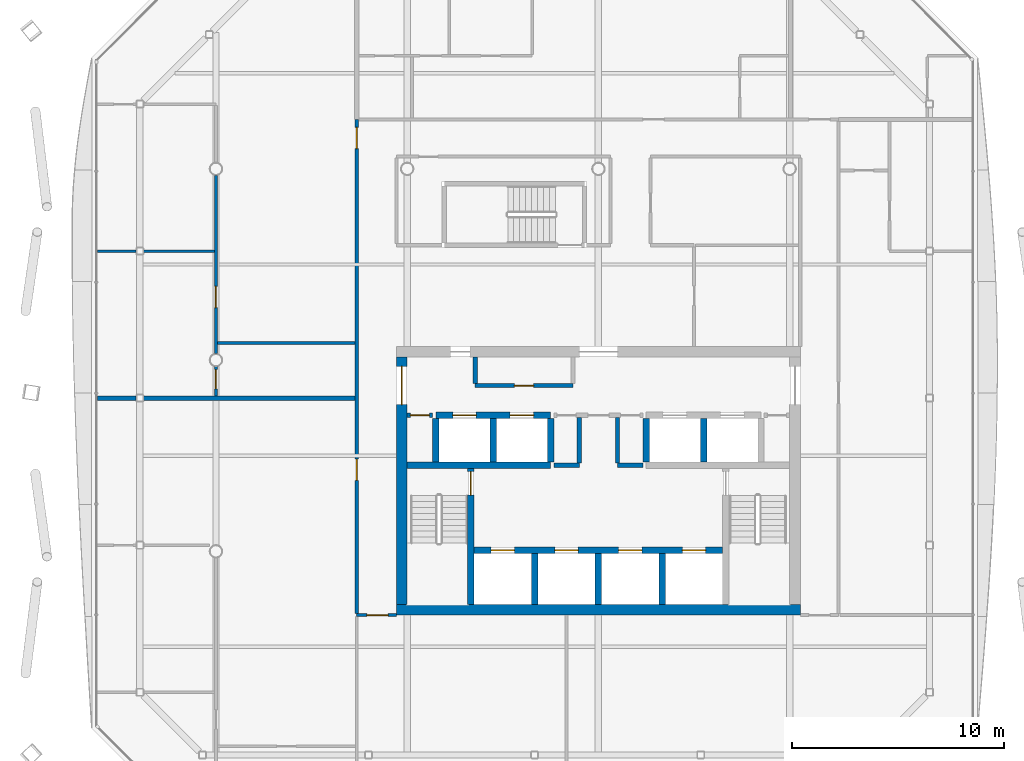
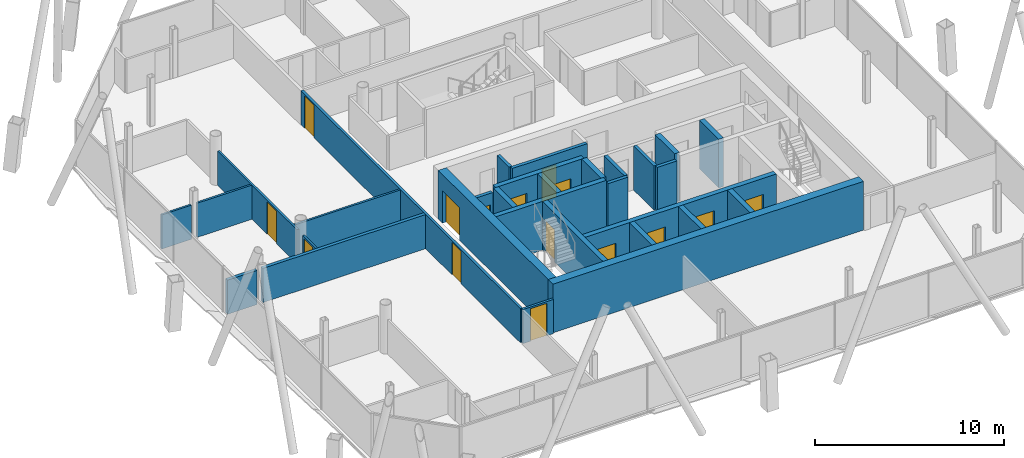
# One storey, part 14 of 20: 30 walls, 15 doors, 15 openings.
"""IFC4 building model written with IfcOpenShell, lengths in metres."""

import ifcopenshell
import ifcopenshell.guid

model = None  # the IFC model being written
_history = None  # IfcOwnerHistory: only IFC2X3 demands one
_inside = {}  # id of a spatial element -> (the spatial element, [elements in it])
_under = {}  # id of a project, library or spatial element -> (it, [spatial elements below it])
_declared = {}  # id of a project -> (the project, [libraries it declares])
_typed = {}  # id of a type object -> (the type object, [elements of that type])
_made_of = {}  # id of a material, layer set ... -> (it, [elements and type objects made of it])


def new_model(schema):
    """Start an empty IFC model of exactly this schema.

    Asked for "IFC4X3", IfcOpenShell would pick the latest addendum, in which some entities
    have other attributes; the version numbers below select the first issue.
    IFC2X3 requires an IfcOwnerHistory on every rooted entity: one is made here for all.
    """
    global model, _history
    if schema == "IFC4X3":
        model = ifcopenshell.file(schema_version=(4, 3, 0, 0))
    else:
        model = ifcopenshell.file(schema=schema)
    _inside.clear()
    _under.clear()
    _declared.clear()
    _typed.clear()
    _made_of.clear()
    _history = None
    if model.schema == "IFC2X3":
        org = make("IfcOrganization", Name="unknown")
        user = make(
            "IfcPersonAndOrganization",
            ThePerson=make("IfcPerson", FamilyName="unknown"),
            TheOrganization=org,
        )
        app = make(
            "IfcApplication",
            ApplicationDeveloper=org,
            Version="unknown",
            ApplicationFullName="unknown",
            ApplicationIdentifier="unknown",
        )
        _history = make(
            "IfcOwnerHistory",
            OwningUser=user,
            OwningApplication=app,
            ChangeAction="ADDED",
            CreationDate=0,
        )
    return model


def make(cls, **values):
    """One entity of the class cls with the attributes given. An attribute that is None is left unset."""
    return model.create_entity(
        cls, **{name: value for name, value in values.items() if value is not None}
    )


def rooted(cls, **values):
    """An entity with a GlobalId (a new one), such as an element, a storey or a relation."""
    return make(cls, GlobalId=ifcopenshell.guid.new(), OwnerHistory=_history, **values)


def si_unit(unit_type, name, prefix=None):
    """IfcSIUnit, for example si_unit("LENGTHUNIT", "METRE", prefix="MILLI")."""
    return make("IfcSIUnit", UnitType=unit_type, Prefix=prefix, Name=name)


def assignment(units):
    """IfcUnitAssignment: the units of a project."""
    return None if units is None else make("IfcUnitAssignment", Units=units)


def point(xyz):
    """IfcCartesianPoint."""
    return None if xyz is None else make("IfcCartesianPoint", Coordinates=xyz)


def direction(xyz):
    """IfcDirection."""
    return None if xyz is None else make("IfcDirection", DirectionRatios=xyz)


def frame(location, z_axis=None, x_axis=None):
    """IfcAxis2Placement3D, a coordinate frame: its origin and axes. An axis left out is left unset."""
    return make(
        "IfcAxis2Placement3D",
        Location=point(location),
        Axis=direction(z_axis),
        RefDirection=direction(x_axis),
    )


def frame_2d(location, x_axis=None):
    """IfcAxis2Placement2D, a coordinate frame in the plane: its origin and x axis."""
    return make(
        "IfcAxis2Placement2D", Location=point(location), RefDirection=direction(x_axis)
    )


def origin():
    """The frame at (0, 0, 0) with its axes left unset."""
    return frame((0.0, 0.0, 0.0))


def place(relative_to, where):
    """IfcLocalPlacement: puts the frame where relative to a parent placement (None: the world)."""
    return make(
        "IfcLocalPlacement", PlacementRelTo=relative_to, RelativePlacement=where
    )


def context(
    kind, dimensions, precision=None, world=None, true_north=None, identifier=None
):
    """IfcGeometricRepresentationContext, for example the 3D "Model" context."""
    return make(
        "IfcGeometricRepresentationContext",
        ContextIdentifier=identifier,
        ContextType=kind,
        CoordinateSpaceDimension=dimensions,
        Precision=precision,
        WorldCoordinateSystem=world,
        TrueNorth=true_north,
    )


def subcontext(parent, identifier, kind, view, scale=None):
    """IfcGeometricRepresentationSubContext, for example "Body" below "Model"."""
    return make(
        "IfcGeometricRepresentationSubContext",
        ContextIdentifier=identifier,
        ContextType=kind,
        ParentContext=parent,
        TargetScale=scale,
        TargetView=view,
    )


def project(units=None, contexts=None):
    """IfcProject with its units and contexts."""
    return rooted(
        "IfcProject",
        Name="project",
        RepresentationContexts=contexts,
        UnitsInContext=assignment(units),
    )


def spatial(cls, under=None, at=None, **own):
    """A site, building, storey or space (cls), placed at a placement, below another one or the project."""
    s = rooted(cls, ObjectPlacement=at, **own)
    if under is not None:
        _under.setdefault(under.id(), (under, []))[1].append(s)
    return s


def profile(cls, at=None, kind="AREA", **sizes):
    """A parametric profile (cls). Its sizes go by their IFC names, for example OverallWidth=200.0."""
    return make(cls, ProfileType=kind, Position=at, **sizes)


def rectangle(**sizes):
    """IfcRectangleProfileDef."""
    return profile("IfcRectangleProfileDef", **sizes)


def extrude(swept, where, along, depth):
    """IfcExtrudedAreaSolid: the profile swept, set in the frame where, extruded along a direction by depth."""
    return make(
        "IfcExtrudedAreaSolid",
        SweptArea=swept,
        Position=where,
        ExtrudedDirection=direction(along),
        Depth=depth,
    )


def shape(context_of_items, identifier, shape_type, items):
    """IfcShapeRepresentation: the items that make up one representation, for example the "Body"."""
    return make(
        "IfcShapeRepresentation",
        ContextOfItems=context_of_items,
        RepresentationIdentifier=identifier,
        RepresentationType=shape_type,
        Items=items,
    )


def material(Name=None, Category=None):
    """IfcMaterial."""
    return make("IfcMaterial", Name=Name, Category=Category)


def layer(
    of_material, thickness, ventilated=None, Name=None, Category=None, Priority=None
):
    """IfcMaterialLayer: one layer of a wall or slab, of a material (None: an air gap)."""
    return make(
        "IfcMaterialLayer",
        Material=of_material,
        LayerThickness=thickness,
        IsVentilated=ventilated,
        Name=Name,
        Category=Category,
        Priority=Priority,
    )


def layer_set(layers, Name=None):
    """IfcMaterialLayerSet."""
    return make("IfcMaterialLayerSet", MaterialLayers=layers, LayerSetName=Name)


def made_of(thing, what):
    """Note that an element or type object is made of a material, layer set ...; save() writes the relation."""
    if what is not None:
        _made_of.setdefault(what.id(), (what, []))[1].append(thing)
    return thing


def type_object(cls, material=None, **own):
    """A type object (cls), such as IfcWallType, which elements share."""
    return made_of(rooted(cls, **own), material)


def element(
    cls,
    number,
    at=None,
    inside=None,
    cuts=None,
    type_object=None,
    material=None,
    context=None,
    identifier="Body",
    shape_type=None,
    held_by="IfcProductDefinitionShape",
    body=None,
    shapes=None,
    **own,
):
    """One element of the class cls, such as IfcWall. Its Tag is "e" and its number.

    at: its placement. inside: the storey or other place that contains it. cuts: it is an
    opening in that element (IfcRelVoidsElement). A single representation is given by context,
    identifier, shape_type and body (its items); several are given by shapes. held_by: the class
    of the entity that holds the representations. save() writes the other relations.
    """
    e = rooted(cls, Tag="e%d" % number, ObjectPlacement=at, **own)
    if body is not None:
        shapes = [shape(context, identifier, shape_type, body)]
    if shapes is not None:
        e.Representation = make(held_by, Representations=shapes)
    if inside is not None:
        _inside.setdefault(inside.id(), (inside, []))[1].append(e)
    if cuts is not None:
        rooted(
            "IfcRelVoidsElement", RelatingBuildingElement=cuts, RelatedOpeningElement=e
        )
    if type_object is not None:
        _typed.setdefault(type_object.id(), (type_object, []))[1].append(e)
    return made_of(e, material)


def fill(opening, filler):
    """IfcRelFillsElement: the door or window that sits in an opening."""
    return rooted(
        "IfcRelFillsElement",
        RelatingOpeningElement=opening,
        RelatedBuildingElement=filler,
    )


def aggregate(whole, parts):
    """IfcRelAggregates: a whole, such as a stair, and the parts it consists of."""
    return rooted("IfcRelAggregates", RelatingObject=whole, RelatedObjects=parts)


def save(model, path):
    """Write the relations noted so far, then the file.

    IfcRelAggregates (storeys below a building ...), IfcRelContainedInSpatialStructure (elements
    in a storey), IfcRelDefinesByType, IfcRelAssociatesMaterial and IfcRelDeclares: one each for
    every whole, place, type object, material and project.
    """
    for whole, parts in _under.values():
        aggregate(whole, parts)
    for where, things in _inside.values():
        rooted(
            "IfcRelContainedInSpatialStructure",
            RelatedElements=things,
            RelatingStructure=where,
        )
    for kind, things in _typed.values():
        rooted("IfcRelDefinesByType", RelatedObjects=things, RelatingType=kind)
    for what, things in _made_of.values():
        rooted("IfcRelAssociatesMaterial", RelatedObjects=things, RelatingMaterial=what)
    for by, libraries in _declared.values():
        rooted("IfcRelDeclares", RelatingContext=by, RelatedDefinitions=libraries)
    model.write(path)


model = new_model("IFC4")

# Units and contexts
model_context = context("Model", 3, precision=1e-05, world=origin(), true_north=direction((0.0, 1.0)))
body_context = subcontext(model_context, "Body", "Model", "MODEL_VIEW")
ifc_project = project(units=[si_unit("LENGTHUNIT", "METRE"), si_unit("AREAUNIT", "SQUARE_METRE"), si_unit("VOLUMEUNIT", "CUBIC_METRE"), si_unit("PLANEANGLEUNIT", "RADIAN"), si_unit("MASSUNIT", "GRAM", prefix="KILO")], contexts=[model_context])

# Site, building, storey
site_placement = place(None, origin())
site = spatial("IfcSite", under=ifc_project, at=site_placement, CompositionType="ELEMENT")
building_placement = place(site_placement, origin())
building = spatial("IfcBuilding", under=site, at=building_placement, Name="Tskaro Facet Tower", CompositionType="ELEMENT")
storey_placement = place(building_placement, frame((0.0, 0.0, 181.64990234375)))
storey = spatial("IfcBuildingStorey", under=building, at=storey_placement, Name="L45", CompositionType="ELEMENT", Elevation=181.64990234375)

# Wall, openings, doors
ifc_material_1 = material(Name="Concrete C60/75", Category="concrete")
ifc_layer_1 = layer(ifc_material_1, 0.300048828125, Name="Concrete C60/75")
ifc_layer_set_1 = layer_set([ifc_layer_1], Name="Concrete C60/75")
wall_type_1 = type_object("IfcWallType", Name="CORE-SHAFT", PredefinedType="SHEAR", material=ifc_layer_set_1)
wall_1_placement = place(storey_placement, frame((-5.85009765625, -8.949951171875, 0.0), z_axis=(0.0, 0.0, 1.0), x_axis=(1.0, 0.0, 0.0)))
wall_1 = element("IfcWall", 1, at=wall_1_placement, inside=storey, type_object=wall_type_1, Name="Shaft wall W007", PredefinedType="SHEAR", context=body_context, shape_type="SweptSolid", body=[
    extrude(rectangle(XDim=11.7001953125, YDim=0.300048828125, at=frame_2d((5.85009765625, 0.0))), origin(), (0.0, 0.0, 1.0), 3.150146484375),
])
opening_1_placement = place(wall_1_placement, frame((0.800048828125, 0.0, 0.0)))
opening_1 = element("IfcOpeningElement", 2, at=opening_1_placement, cuts=wall_1, Name="Opening LD-FF1", PredefinedType="OPENING", context=body_context, shape_type="SweptSolid", body=[
    extrude(rectangle(XDim=1.10009765625, YDim=2.10009765625, at=frame_2d((0.550048828125, 1.050048828125))), frame((0.0, 0.159912109375, 0.0), z_axis=(0.0, -1.0, 0.0), x_axis=(1.0, 0.0, 0.0)), (0.0, 0.0, 1.0), 0.320068359375),
])
opening_2_placement = place(wall_1_placement, frame((3.800048828125, 0.0, 0.0)))
opening_2 = element("IfcOpeningElement", 3, at=opening_2_placement, cuts=wall_1, Name="Opening LD-FF2", PredefinedType="OPENING", context=body_context, shape_type="SweptSolid", body=[
    extrude(rectangle(XDim=1.10009765625, YDim=2.10009765625, at=frame_2d((0.550048828125, 1.050048828125))), frame((0.0, 0.159912109375, 0.0), z_axis=(0.0, -1.0, 0.0), x_axis=(1.0, 0.0, 0.0)), (0.0, 0.0, 1.0), 0.320068359375),
])
opening_3_placement = place(wall_1_placement, frame((6.800048828125, 0.0, 0.0)))
opening_3 = element("IfcOpeningElement", 4, at=opening_3_placement, cuts=wall_1, Name="Opening LD-SV1", PredefinedType="OPENING", context=body_context, shape_type="SweptSolid", body=[
    extrude(rectangle(XDim=1.10009765625, YDim=2.10009765625, at=frame_2d((0.550048828125, 1.050048828125))), frame((0.0, 0.159912109375, 0.0), z_axis=(0.0, -1.0, 0.0), x_axis=(1.0, 0.0, 0.0)), (0.0, 0.0, 1.0), 0.320068359375),
])
opening_4_placement = place(wall_1_placement, frame((9.800048828125, 0.0, 0.0)))
opening_4 = element("IfcOpeningElement", 5, at=opening_4_placement, cuts=wall_1, Name="Opening LD-SV2", PredefinedType="OPENING", context=body_context, shape_type="SweptSolid", body=[
    extrude(rectangle(XDim=1.10009765625, YDim=2.10009765625, at=frame_2d((0.550048828125, 1.050048828125))), frame((0.0, 0.159912109375, 0.0), z_axis=(0.0, -1.0, 0.0), x_axis=(1.0, 0.0, 0.0)), (0.0, 0.0, 1.0), 0.320068359375),
])
ifc_material_2 = material(Name="Stainless steel", Category="steel")
door_type_1 = type_object("IfcDoorType", Name="D-LANDING", OperationType="NOTDEFINED", PredefinedType="DOOR", material=ifc_material_2)
door_1_placement = place(opening_1_placement, origin())
door_1 = element("IfcDoor", 6, at=door_1_placement, inside=storey, type_object=door_type_1, Name="Landing door FF1", OperationType="DOUBLE_DOOR_SLIDING", OverallHeight=2.10009765625, OverallWidth=1.10009765625, PredefinedType="DOOR", context=body_context, shape_type="SweptSolid", body=[
    extrude(rectangle(XDim=1.10009765625, YDim=2.10009765625, at=frame_2d((0.550048828125, 1.050048828125))), frame((0.0, 0.02490234375, 0.0), z_axis=(0.0, -1.0, 0.0), x_axis=(1.0, 0.0, 0.0)), (0.0, 0.0, 1.0), 0.050048828125),
])
fill(opening_1, door_1)
door_2_placement = place(opening_2_placement, origin())
door_2 = element("IfcDoor", 7, at=door_2_placement, inside=storey, type_object=door_type_1, Name="Landing door FF2", OperationType="DOUBLE_DOOR_SLIDING", OverallHeight=2.10009765625, OverallWidth=1.10009765625, PredefinedType="DOOR", context=body_context, shape_type="SweptSolid", body=[
    extrude(rectangle(XDim=1.10009765625, YDim=2.10009765625, at=frame_2d((0.550048828125, 1.050048828125))), frame((0.0, 0.02490234375, 0.0), z_axis=(0.0, -1.0, 0.0), x_axis=(1.0, 0.0, 0.0)), (0.0, 0.0, 1.0), 0.050048828125),
])
fill(opening_2, door_2)
door_3_placement = place(opening_3_placement, origin())
door_3 = element("IfcDoor", 8, at=door_3_placement, inside=storey, type_object=door_type_1, Name="Landing door SV1", OperationType="DOUBLE_DOOR_SLIDING", OverallHeight=2.10009765625, OverallWidth=1.10009765625, PredefinedType="DOOR", context=body_context, shape_type="SweptSolid", body=[
    extrude(rectangle(XDim=1.10009765625, YDim=2.10009765625, at=frame_2d((0.550048828125, 1.050048828125))), frame((0.0, 0.02490234375, 0.0), z_axis=(0.0, -1.0, 0.0), x_axis=(1.0, 0.0, 0.0)), (0.0, 0.0, 1.0), 0.050048828125),
])
fill(opening_3, door_3)
door_4_placement = place(opening_4_placement, origin())
door_4 = element("IfcDoor", 9, at=door_4_placement, inside=storey, type_object=door_type_1, Name="Landing door SV2", OperationType="DOUBLE_DOOR_SLIDING", OverallHeight=2.10009765625, OverallWidth=1.10009765625, PredefinedType="DOOR", context=body_context, shape_type="SweptSolid", body=[
    extrude(rectangle(XDim=1.10009765625, YDim=2.10009765625, at=frame_2d((0.550048828125, 1.050048828125))), frame((0.0, 0.02490234375, 0.0), z_axis=(0.0, -1.0, 0.0), x_axis=(1.0, 0.0, 0.0)), (0.0, 0.0, 1.0), 0.050048828125),
])
fill(opening_4, door_4)

# Wall
wall_2_placement = place(storey_placement, frame((-9.0, -4.949951171875, 0.0), z_axis=(0.0, 0.0, 1.0), x_axis=(1.0, 0.0, 0.0)))
element("IfcWall", 10, at=wall_2_placement, inside=storey, type_object=wall_type_1, Name="Shaft wall W010", PredefinedType="SHEAR", context=body_context, shape_type="SweptSolid", body=[
    extrude(rectangle(XDim=6.75, YDim=0.300048828125, at=frame_2d((3.375, 0.0))), origin(), (0.0, 0.0, 1.0), 3.150146484375),
])

# Wall, openings, doors
wall_3_placement = place(storey_placement, frame((-7.64990234375, -2.60009765625, 0.0), z_axis=(0.0, 0.0, 1.0), x_axis=(1.0, 0.0, 0.0)))
wall_3 = element("IfcWall", 11, at=wall_3_placement, inside=storey, type_object=wall_type_1, Name="Shaft wall W015", PredefinedType="SHEAR", context=body_context, shape_type="SweptSolid", body=[
    extrude(rectangle(XDim=5.39990234375, YDim=0.300048828125, at=frame_2d((2.699951171875, 0.0))), origin(), (0.0, 0.0, 1.0), 3.150146484375),
])
opening_5_placement = place(wall_3_placement, frame((0.800048828125, 0.0, 0.0)))
opening_5 = element("IfcOpeningElement", 12, at=opening_5_placement, cuts=wall_3, Name="Opening LD-HB1", PredefinedType="OPENING", context=body_context, shape_type="SweptSolid", body=[
    extrude(rectangle(XDim=1.10009765625, YDim=2.10009765625, at=frame_2d((0.550048828125, 1.050048828125))), frame((0.0, 0.159912109375, 0.0), z_axis=(0.0, -1.0, 0.0), x_axis=(1.0, 0.0, 0.0)), (0.0, 0.0, 1.0), 0.320068359375),
])
opening_6_placement = place(wall_3_placement, frame((3.5, 0.0, 0.0)))
opening_6 = element("IfcOpeningElement", 13, at=opening_6_placement, cuts=wall_3, Name="Opening LD-HB2", PredefinedType="OPENING", context=body_context, shape_type="SweptSolid", body=[
    extrude(rectangle(XDim=1.10009765625, YDim=2.10009765625, at=frame_2d((0.550048828125, 1.050048828125))), frame((0.0, 0.159912109375, 0.0), z_axis=(0.0, -1.0, 0.0), x_axis=(1.0, 0.0, 0.0)), (0.0, 0.0, 1.0), 0.320068359375),
])
door_5_placement = place(opening_5_placement, origin())
door_5 = element("IfcDoor", 14, at=door_5_placement, inside=storey, type_object=door_type_1, Name="Landing door HB1", OperationType="DOUBLE_DOOR_SLIDING", OverallHeight=2.10009765625, OverallWidth=1.10009765625, PredefinedType="DOOR", context=body_context, shape_type="SweptSolid", body=[
    extrude(rectangle(XDim=1.10009765625, YDim=2.10009765625, at=frame_2d((0.550048828125, 1.050048828125))), frame((0.0, 0.02490234375, 0.0), z_axis=(0.0, -1.0, 0.0), x_axis=(1.0, 0.0, 0.0)), (0.0, 0.0, 1.0), 0.050048828125),
])
fill(opening_5, door_5)
door_6_placement = place(opening_6_placement, origin())
door_6 = element("IfcDoor", 15, at=door_6_placement, inside=storey, type_object=door_type_1, Name="Landing door HB2", OperationType="DOUBLE_DOOR_SLIDING", OverallHeight=2.10009765625, OverallWidth=1.10009765625, PredefinedType="DOOR", context=body_context, shape_type="SweptSolid", body=[
    extrude(rectangle(XDim=1.10009765625, YDim=2.10009765625, at=frame_2d((0.550048828125, 1.050048828125))), frame((0.0, 0.02490234375, 0.0), z_axis=(0.0, -1.0, 0.0), x_axis=(1.0, 0.0, 0.0)), (0.0, 0.0, 1.0), 0.050048828125),
])
fill(opening_6, door_6)

# Wall
wall_4_placement = place(storey_placement, frame((-7.64990234375, -4.800048828125, 0.0), z_axis=(0.0, 0.0, 1.0), x_axis=(0.0, 1.0, 0.0)))
element("IfcWall", 16, at=wall_4_placement, inside=storey, type_object=wall_type_1, Name="Shaft wall W055", PredefinedType="SHEAR", context=body_context, shape_type="SweptSolid", body=[
    extrude(rectangle(XDim=2.050048828125, YDim=0.300048828125, at=frame_2d((1.02490234375, 0.0))), origin(), (0.0, 0.0, 1.0), 3.150146484375),
])

# Wall, opening, door
wall_5_placement = place(storey_placement, frame((-6.0, -11.5, 0.0), z_axis=(0.0, 0.0, 1.0), x_axis=(0.0, 1.0, 0.0)))
wall_5 = element("IfcWall", 17, at=wall_5_placement, inside=storey, type_object=wall_type_1, Name="Shaft wall W059", PredefinedType="SHEAR", context=body_context, shape_type="SweptSolid", body=[
    extrude(rectangle(XDim=6.39990234375, YDim=0.300048828125, at=frame_2d((3.199951171875, 0.0))), origin(), (0.0, 0.0, 1.0), 3.150146484375),
])
opening_7_placement = place(wall_5_placement, frame((5.14990234375, 0.0, 0.0)))
opening_7 = element("IfcOpeningElement", 18, at=opening_7_placement, cuts=wall_5, Name="Opening ST-1-D1", PredefinedType="OPENING", context=body_context, shape_type="SweptSolid", body=[
    extrude(rectangle(XDim=1.10009765625, YDim=2.10009765625, at=frame_2d((0.550048828125, 1.050048828125))), frame((0.0, 0.159912109375, 0.0), z_axis=(0.0, -1.0, 0.0), x_axis=(1.0, 0.0, 0.0)), (0.0, 0.0, 1.0), 0.320068359375),
])
ifc_material_3 = material(Name="Steel", Category="steel")
door_type_2 = type_object("IfcDoorType", Name="D-STAIR", OperationType="NOTDEFINED", PredefinedType="DOOR", material=ifc_material_3)
door_7_placement = place(opening_7_placement, origin())
door_7 = element("IfcDoor", 19, at=door_7_placement, inside=storey, type_object=door_type_2, Name="Stair door 1", OperationType="SINGLE_SWING_LEFT", OverallHeight=2.10009765625, OverallWidth=1.10009765625, PredefinedType="DOOR", context=body_context, shape_type="SweptSolid", body=[
    extrude(rectangle(XDim=1.10009765625, YDim=2.10009765625, at=frame_2d((0.550048828125, 1.050048828125))), frame((0.0, 0.02490234375, 0.0), z_axis=(0.0, -1.0, 0.0), x_axis=(1.0, 0.0, 0.0)), (0.0, 0.0, 1.0), 0.050048828125),
])
fill(opening_7, door_7)

# Walls
wall_6_placement = place(storey_placement, frame((-4.949951171875, -4.800048828125, 0.0), z_axis=(0.0, 0.0, 1.0), x_axis=(0.0, 1.0, 0.0)))
element("IfcWall", 20, at=wall_6_placement, inside=storey, type_object=wall_type_1, Name="Shaft wall W061", PredefinedType="SHEAR", context=body_context, shape_type="SweptSolid", body=[
    extrude(rectangle(XDim=2.050048828125, YDim=0.300048828125, at=frame_2d((1.02490234375, 0.0))), origin(), (0.0, 0.0, 1.0), 3.150146484375),
])
wall_7_placement = place(storey_placement, frame((-3.0, -11.5, 0.0), z_axis=(0.0, 0.0, 1.0), x_axis=(0.0, 1.0, 0.0)))
element("IfcWall", 21, at=wall_7_placement, inside=storey, type_object=wall_type_1, Name="Shaft wall W063", PredefinedType="SHEAR", context=body_context, shape_type="SweptSolid", body=[
    extrude(rectangle(XDim=2.39990234375, YDim=0.300048828125, at=frame_2d((1.199951171875, 0.0))), origin(), (0.0, 0.0, 1.0), 3.150146484375),
])
wall_8_placement = place(storey_placement, frame((-2.25, -4.800048828125, 0.0), z_axis=(0.0, 0.0, 1.0), x_axis=(0.0, 1.0, 0.0)))
element("IfcWall", 22, at=wall_8_placement, inside=storey, type_object=wall_type_1, Name="Shaft wall W064", PredefinedType="SHEAR", context=body_context, shape_type="SweptSolid", body=[
    extrude(rectangle(XDim=2.050048828125, YDim=0.300048828125, at=frame_2d((1.02490234375, 0.0))), origin(), (0.0, 0.0, 1.0), 3.150146484375),
])
wall_9_placement = place(storey_placement, frame((0.0, -11.5, 0.0), z_axis=(0.0, 0.0, 1.0), x_axis=(0.0, 1.0, 0.0)))
element("IfcWall", 23, at=wall_9_placement, inside=storey, type_object=wall_type_1, Name="Shaft wall W069", PredefinedType="SHEAR", context=body_context, shape_type="SweptSolid", body=[
    extrude(rectangle(XDim=2.39990234375, YDim=0.300048828125, at=frame_2d((1.199951171875, 0.0))), origin(), (0.0, 0.0, 1.0), 3.150146484375),
])
wall_10_placement = place(storey_placement, frame((2.25, -4.800048828125, 0.0), z_axis=(0.0, 0.0, 1.0), x_axis=(0.0, 1.0, 0.0)))
element("IfcWall", 24, at=wall_10_placement, inside=storey, type_object=wall_type_1, Name="Shaft wall W072", PredefinedType="SHEAR", context=body_context, shape_type="SweptSolid", body=[
    extrude(rectangle(XDim=2.050048828125, YDim=0.300048828125, at=frame_2d((1.02490234375, 0.0))), origin(), (0.0, 0.0, 1.0), 3.150146484375),
])
wall_11_placement = place(storey_placement, frame((3.0, -11.5, 0.0), z_axis=(0.0, 0.0, 1.0), x_axis=(0.0, 1.0, 0.0)))
element("IfcWall", 25, at=wall_11_placement, inside=storey, type_object=wall_type_1, Name="Shaft wall W074", PredefinedType="SHEAR", context=body_context, shape_type="SweptSolid", body=[
    extrude(rectangle(XDim=2.39990234375, YDim=0.300048828125, at=frame_2d((1.199951171875, 0.0))), origin(), (0.0, 0.0, 1.0), 3.150146484375),
])
wall_12_placement = place(storey_placement, frame((4.949951171875, -4.800048828125, 0.0), z_axis=(0.0, 0.0, 1.0), x_axis=(0.0, 1.0, 0.0)))
element("IfcWall", 26, at=wall_12_placement, inside=storey, type_object=wall_type_1, Name="Shaft wall W076", PredefinedType="SHEAR", context=body_context, shape_type="SweptSolid", body=[
    extrude(rectangle(XDim=2.050048828125, YDim=0.300048828125, at=frame_2d((1.02490234375, 0.0))), origin(), (0.0, 0.0, 1.0), 3.150146484375),
])
ifc_material_4 = material(Name="Concrete C20/25", Category="concrete")
ifc_layer_2 = layer(ifc_material_4, 0.199951171875, Name="Concrete C20/25")
ifc_layer_set_2 = layer_set([ifc_layer_2], Name="Concrete C20/25")
wall_type_2 = type_object("IfcWallType", Name="CORE-WALL", PredefinedType="SOLIDWALL", material=ifc_layer_set_2)
for number, where, z_axis, x_axis, name in (
    (27, (-2.10009765625, -4.949951171875, 0.0), (0.0, 0.0, 1.0), (1.0, 0.0, 0.0), "Core room wall W011"),
    (28, (0.89990234375, -4.949951171875, 0.0), (0.0, 0.0, 1.0), (1.0, 0.0, 0.0), "Core room wall W012"),
):
    element("IfcWall", number, at=place(storey_placement, frame(where, z_axis=z_axis, x_axis=x_axis)), inside=storey, type_object=wall_type_2, Name=name, PredefinedType="SOLIDWALL", context=body_context, shape_type="SweptSolid", body=[
        extrude(rectangle(XDim=1.2001953125, YDim=0.199951171875, at=frame_2d((0.60009765625, 0.0))), origin(), (0.0, 0.0, 1.0), 2.85009765625),
    ])

# Wall, opening, door
wall_13_placement = place(storey_placement, frame((-7.800048828125, -2.60009765625, 0.0), z_axis=(0.0, 0.0, 1.0), x_axis=(-1.0, 0.0, 0.0)))
wall_13 = element("IfcWall", 29, at=wall_13_placement, inside=storey, type_object=wall_type_2, Name="Core room wall W014", PredefinedType="SOLIDWALL", context=body_context, shape_type="SweptSolid", body=[
    extrude(rectangle(XDim=1.199951171875, YDim=0.199951171875, at=frame_2d((0.60009765625, 0.0))), origin(), (0.0, 0.0, 1.0), 2.85009765625),
])
opening_8_placement = place(wall_13_placement, frame((0.14990234375, 0.0, 0.0)))
opening_8 = element("IfcOpeningElement", 30, at=opening_8_placement, cuts=wall_13, Name="Opening T13-D07", PredefinedType="OPENING", context=body_context, shape_type="SweptSolid", body=[
    extrude(rectangle(XDim=0.89990234375, YDim=2.10009765625, at=frame_2d((0.449951171875, 1.050048828125))), frame((0.0, 0.10986328125, 0.0), z_axis=(0.0, -1.0, 0.0), x_axis=(1.0, 0.0, 0.0)), (0.0, 0.0, 1.0), 0.219970703125),
])
ifc_material_5 = material(Name="Timber", Category="wood")
door_type_3 = type_object("IfcDoorType", Name="D-ROOM", OperationType="NOTDEFINED", PredefinedType="DOOR", material=ifc_material_5)
door_8_placement = place(opening_8_placement, origin())
door_8 = element("IfcDoor", 31, at=door_8_placement, inside=storey, type_object=door_type_3, Name="Door T13-D07", OperationType="SINGLE_SWING_RIGHT", OverallHeight=2.10009765625, OverallWidth=0.89990234375, PredefinedType="DOOR", context=body_context, shape_type="SweptSolid", body=[
    extrude(rectangle(XDim=0.89990234375, YDim=2.10009765625, at=frame_2d((0.449951171875, 1.050048828125))), frame((0.0, 0.02490234375, 0.0), z_axis=(0.0, -1.0, 0.0), x_axis=(1.0, 0.0, 0.0)), (0.0, 0.0, 1.0), 0.050048828125),
])
fill(opening_8, door_8)

wall_14_placement = place(storey_placement, frame((-5.800048828125, -1.199951171875, 0.0), z_axis=(0.0, 0.0, 1.0), x_axis=(1.0, 0.0, 0.0)))
wall_14 = element("IfcWall", 32, at=wall_14_placement, inside=storey, type_object=wall_type_2, Name="Core room wall W021", PredefinedType="SOLIDWALL", context=body_context, shape_type="SweptSolid", body=[
    extrude(rectangle(XDim=4.60009765625, YDim=0.199951171875, at=frame_2d((2.300048828125, 0.0))), origin(), (0.0, 0.0, 1.0), 2.85009765625),
])
opening_9_placement = place(wall_14_placement, frame((1.85009765625, 0.0, 0.0)))
opening_9 = element("IfcOpeningElement", 33, at=opening_9_placement, cuts=wall_14, Name="Opening T13-D13", PredefinedType="OPENING", context=body_context, shape_type="SweptSolid", body=[
    extrude(rectangle(XDim=0.89990234375, YDim=2.10009765625, at=frame_2d((0.449951171875, 1.050048828125))), frame((0.0, 0.10986328125, 0.0), z_axis=(0.0, -1.0, 0.0), x_axis=(1.0, 0.0, 0.0)), (0.0, 0.0, 1.0), 0.219970703125),
])
door_9_placement = place(opening_9_placement, origin())
door_9 = element("IfcDoor", 34, at=door_9_placement, inside=storey, type_object=door_type_3, Name="Door T13-D13", OperationType="SINGLE_SWING_LEFT", OverallHeight=2.10009765625, OverallWidth=0.89990234375, PredefinedType="DOOR", context=body_context, shape_type="SweptSolid", body=[
    extrude(rectangle(XDim=0.89990234375, YDim=2.10009765625, at=frame_2d((0.449951171875, 1.050048828125))), frame((0.0, 0.02490234375, 0.0), z_axis=(0.0, -1.0, 0.0), x_axis=(1.0, 0.0, 0.0)), (0.0, 0.0, 1.0), 0.050048828125),
])
fill(opening_9, door_9)

# Walls
wall_15_placement = place(storey_placement, frame((-5.800048828125, -1.10009765625, 0.0), z_axis=(0.0, 0.0, 1.0), x_axis=(0.0, 1.0, 0.0)))
element("IfcWall", 35, at=wall_15_placement, inside=storey, type_object=wall_type_2, Name="Core room wall W060", PredefinedType="SOLIDWALL", context=body_context, shape_type="SweptSolid", body=[
    extrude(rectangle(XDim=1.25, YDim=0.199951171875, at=frame_2d((0.625, 0.0))), origin(), (0.0, 0.0, 1.0), 2.85009765625),
])
for number, where, z_axis, x_axis, name in (
    (36, (-0.89990234375, -4.85009765625, 0.0), (0.0, 0.0, 1.0), (0.0, 1.0, 0.0), "Core room wall W067"),
    (37, (0.89990234375, -4.85009765625, 0.0), (0.0, 0.0, 1.0), (0.0, 1.0, 0.0), "Core room wall W071"),
):
    element("IfcWall", number, at=place(storey_placement, frame(where, z_axis=z_axis, x_axis=x_axis)), inside=storey, type_object=wall_type_2, Name=name, PredefinedType="SOLIDWALL", context=body_context, shape_type="SweptSolid", body=[
        extrude(rectangle(XDim=2.150146484375, YDim=0.199951171875, at=frame_2d((1.0751953125, 0.0))), origin(), (0.0, 0.0, 1.0), 2.85009765625),
    ])
ifc_material_6 = material(Name="Concrete C40/50", Category="concrete")
ifc_layer_3 = layer(ifc_material_6, 0.5, Name="Concrete C40/50")
ifc_layer_set_3 = layer_set([ifc_layer_3], Name="Concrete C40/50")
wall_type_3 = type_object("IfcWallType", Name="Core wall 500", PredefinedType="SHEAR", material=ifc_layer_set_3)
wall_16_placement = place(storey_placement, frame((-9.5, -11.75, 0.0), z_axis=(0.0, 0.0, 1.0), x_axis=(1.0, 0.0, 0.0)))
element("IfcWall", 38, at=wall_16_placement, inside=storey, type_object=wall_type_3, Name="Core wall CW-Z3S", PredefinedType="SHEAR", context=body_context, shape_type="SweptSolid", body=[
    extrude(rectangle(XDim=19.0, YDim=0.5, at=frame_2d((9.5, 0.0))), origin(), (0.0, 0.0, 1.0), 3.150146484375),
])

# Wall, opening, door
wall_17_placement = place(storey_placement, frame((-9.25, -11.5, 0.0), z_axis=(0.0, 0.0, 1.0), x_axis=(0.0, 1.0, 0.0)))
wall_17 = element("IfcWall", 39, at=wall_17_placement, inside=storey, type_object=wall_type_3, Name="Core wall CW-Z3W", PredefinedType="SHEAR", context=body_context, shape_type="SweptSolid", body=[
    extrude(rectangle(XDim=11.64990234375, YDim=0.5, at=frame_2d((5.824951171875, 0.0))), origin(), (0.0, 0.0, 1.0), 3.150146484375),
])
opening_10_placement = place(wall_17_placement, frame((9.39990234375, 0.0, 0.0)))
opening_10 = element("IfcOpeningElement", 40, at=opening_10_placement, cuts=wall_17, Name="Opening T13-D12", PredefinedType="OPENING", context=body_context, shape_type="SweptSolid", body=[
    extrude(rectangle(XDim=1.800048828125, YDim=2.10009765625, at=frame_2d((0.89990234375, 1.050048828125))), frame((0.0, 0.260009765625, 0.0), z_axis=(0.0, -1.0, 0.0), x_axis=(1.0, 0.0, 0.0)), (0.0, 0.0, 1.0), 0.52001953125),
])
door_type_4 = type_object("IfcDoorType", Name="D-CORE-PAIR", OperationType="NOTDEFINED", PredefinedType="DOOR", material=ifc_material_3)
door_10_placement = place(opening_10_placement, origin())
door_10 = element("IfcDoor", 41, at=door_10_placement, inside=storey, type_object=door_type_4, Name="Door T13-D12", OperationType="DOUBLE_DOOR_SINGLE_SWING", OverallHeight=2.10009765625, OverallWidth=1.800048828125, PredefinedType="DOOR", context=body_context, shape_type="SweptSolid", body=[
    extrude(rectangle(XDim=1.800048828125, YDim=2.10009765625, at=frame_2d((0.89990234375, 1.050048828125))), frame((0.0, 0.02490234375, 0.0), z_axis=(0.0, -1.0, 0.0), x_axis=(1.0, 0.0, 0.0)), (0.0, 0.0, 1.0), 0.050048828125),
])
fill(opening_10, door_10)

# Walls
ifc_material_7 = material(Name="Gypsum board on steel studs", Category="steel")
ifc_layer_4 = layer(ifc_material_7, 0.125, Name="Gypsum board on steel studs")
ifc_layer_set_4 = layer_set([ifc_layer_4], Name="Gypsum board on steel studs")
wall_type_4 = type_object("IfcWallType", Name="PART", PredefinedType="PARTITIONING", material=ifc_layer_set_4)
wall_18_placement = place(storey_placement, frame((-17.9375, 0.804931640625, 0.0), z_axis=(0.0, 0.0, 1.0), x_axis=(1.0, 0.0, 0.0)))
element("IfcWall", 42, at=wall_18_placement, inside=storey, type_object=wall_type_4, Name="Partition W022", PredefinedType="PARTITIONING", context=body_context, shape_type="SweptSolid", body=[
    extrude(rectangle(XDim=6.487548828125, YDim=0.125, at=frame_2d((3.24365234375, 0.0))), origin(), (0.0, 0.0, 1.0), 2.210205078125),
])
wall_19_placement = place(storey_placement, frame((-23.577880859375, 5.125, 0.0), z_axis=(0.0, 0.0, 1.0), x_axis=(1.0, 0.0, 0.0)))
element("IfcWall", 43, at=wall_19_placement, inside=storey, type_object=wall_type_4, Name="Partition W023", PredefinedType="PARTITIONING", context=body_context, shape_type="SweptSolid", body=[
    extrude(rectangle(XDim=1.81982421875, YDim=0.125, at=frame_2d((0.909912109375, 0.0))), origin(), (0.0, 0.0, 1.0), 2.210205078125),
])
wall_20_placement = place(storey_placement, frame((-21.407958984375, 5.125, 0.0), z_axis=(0.0, 0.0, 1.0), x_axis=(1.0, 0.0, 0.0)))
element("IfcWall", 44, at=wall_20_placement, inside=storey, type_object=wall_type_4, Name="Partition W024", PredefinedType="PARTITIONING", context=body_context, shape_type="SweptSolid", body=[
    extrude(rectangle(XDim=3.345458984375, YDim=0.125, at=frame_2d((1.6728515625, 0.0))), origin(), (0.0, 0.0, 1.0), 2.210205078125),
])

# Wall, opening, door
wall_21_placement = place(storey_placement, frame((-18.0, -0.304931640625, 0.0), z_axis=(0.0, 0.0, 1.0), x_axis=(0.0, -1.0, 0.0)))
wall_21 = element("IfcWall", 45, at=wall_21_placement, inside=storey, type_object=wall_type_4, Name="Partition W046", PredefinedType="PARTITIONING", context=body_context, shape_type="SweptSolid", body=[
    extrude(rectangle(XDim=1.39013671875, YDim=0.125, at=frame_2d((0.695068359375, 0.0))), origin(), (0.0, 0.0, 1.0), 2.210205078125),
])
opening_11_placement = place(wall_21_placement, frame((0.14990234375, 0.0, 0.0)))
opening_11 = element("IfcOpeningElement", 46, at=opening_11_placement, cuts=wall_21, Name="Opening T13-D15", PredefinedType="OPENING", context=body_context, shape_type="SweptSolid", body=[
    extrude(rectangle(XDim=0.89990234375, YDim=2.10009765625, at=frame_2d((0.449951171875, 1.050048828125))), frame((0.0, 0.072509765625, 0.0), z_axis=(0.0, -1.0, 0.0), x_axis=(1.0, 0.0, 0.0)), (0.0, 0.0, 1.0), 0.14501953125),
])
door_11_placement = place(opening_11_placement, origin())
door_11 = element("IfcDoor", 47, at=door_11_placement, inside=storey, type_object=door_type_3, Name="Door T13-D15", OperationType="SINGLE_SWING_RIGHT", OverallHeight=2.10009765625, OverallWidth=0.89990234375, PredefinedType="DOOR", context=body_context, shape_type="SweptSolid", body=[
    extrude(rectangle(XDim=0.89990234375, YDim=2.10009765625, at=frame_2d((0.449951171875, 1.050048828125))), frame((0.0, 0.02490234375, 0.0), z_axis=(0.0, -1.0, 0.0), x_axis=(1.0, 0.0, 0.0)), (0.0, 0.0, 1.0), 0.050048828125),
])
fill(opening_11, door_11)

wall_22_placement = place(storey_placement, frame((-18.0, 0.304931640625, 0.0), z_axis=(0.0, 0.0, 1.0), x_axis=(0.0, 1.0, 0.0)))
wall_22 = element("IfcWall", 48, at=wall_22_placement, inside=storey, type_object=wall_type_4, Name="Partition W047", PredefinedType="PARTITIONING", context=body_context, shape_type="SweptSolid", body=[
    extrude(rectangle(XDim=8.39013671875, YDim=0.125, at=frame_2d((4.195068359375, 0.0))), origin(), (0.0, 0.0, 1.0), 2.210205078125),
])
opening_12_placement = place(wall_22_placement, frame((2.159912109375, 0.0, 0.0)))
opening_12 = element("IfcOpeningElement", 49, at=opening_12_placement, cuts=wall_22, Name="Opening T13-D18", PredefinedType="OPENING", context=body_context, shape_type="SweptSolid", body=[
    extrude(rectangle(XDim=1.0, YDim=2.10009765625, at=frame_2d((0.5, 1.050048828125))), frame((0.0, 0.072509765625, 0.0), z_axis=(0.0, -1.0, 0.0), x_axis=(1.0, 0.0, 0.0)), (0.0, 0.0, 1.0), 0.14501953125),
])
door_type_5 = type_object("IfcDoorType", Name="D-ROOM-WIDE", OperationType="NOTDEFINED", PredefinedType="DOOR", material=ifc_material_5)
door_12_placement = place(opening_12_placement, origin())
door_12 = element("IfcDoor", 50, at=door_12_placement, inside=storey, type_object=door_type_5, Name="Door T13-D18", OperationType="SINGLE_SWING_LEFT", OverallHeight=2.10009765625, OverallWidth=1.0, PredefinedType="DOOR", context=body_context, shape_type="SweptSolid", body=[
    extrude(rectangle(XDim=1.0, YDim=2.10009765625, at=frame_2d((0.5, 1.050048828125))), frame((0.0, 0.02490234375, 0.0), z_axis=(0.0, -1.0, 0.0), x_axis=(1.0, 0.0, 0.0)), (0.0, 0.0, 1.0), 0.050048828125),
])
fill(opening_12, door_12)

ifc_layer_5 = layer(ifc_material_7, 0.14990234375, Name="Gypsum board on steel studs")
ifc_layer_set_5 = layer_set([ifc_layer_5], Name="Gypsum board on steel studs")
wall_type_5 = type_object("IfcWallType", Name="PART-CORR", PredefinedType="PARTITIONING", material=ifc_layer_set_5)
wall_23_placement = place(storey_placement, frame((-9.5, -12.0, 0.0), z_axis=(0.0, 0.0, 1.0), x_axis=(-1.0, 0.0, 0.0)))
wall_23 = element("IfcWall", 51, at=wall_23_placement, inside=storey, type_object=wall_type_5, Name="Corridor wall W004", PredefinedType="PARTITIONING", context=body_context, shape_type="SweptSolid", body=[
    extrude(rectangle(XDim=1.875, YDim=0.14990234375, at=frame_2d((0.9375, 0.0))), origin(), (0.0, 0.0, 1.0), 2.210205078125),
])
opening_13_placement = place(wall_23_placement, frame((0.39990234375, 0.0, 0.0)))
opening_13 = element("IfcOpeningElement", 52, at=opening_13_placement, cuts=wall_23, Name="Opening T13-D03", PredefinedType="OPENING", context=body_context, shape_type="SweptSolid", body=[
    extrude(rectangle(XDim=1.0, YDim=2.10009765625, at=frame_2d((0.5, 1.050048828125))), frame((0.0, 0.0849609375, 0.0), z_axis=(0.0, -1.0, 0.0), x_axis=(1.0, 0.0, 0.0)), (0.0, 0.0, 1.0), 0.169921875),
])
door_13_placement = place(opening_13_placement, origin())
door_13 = element("IfcDoor", 53, at=door_13_placement, inside=storey, type_object=door_type_5, Name="Door T13-D03", OperationType="SINGLE_SWING_RIGHT", OverallHeight=2.10009765625, OverallWidth=1.0, PredefinedType="DOOR", context=body_context, shape_type="SweptSolid", body=[
    extrude(rectangle(XDim=1.0, YDim=2.10009765625, at=frame_2d((0.5, 1.050048828125))), frame((0.0, 0.02490234375, 0.0), z_axis=(0.0, -1.0, 0.0), x_axis=(1.0, 0.0, 0.0)), (0.0, 0.0, 1.0), 0.050048828125),
])
fill(opening_13, door_13)

# Wall, openings, doors
wall_24_placement = place(storey_placement, frame((-11.375, -11.925048828125, 0.0), z_axis=(0.0, 0.0, 1.0), x_axis=(0.0, 1.0, 0.0)))
wall_24 = element("IfcWall", 54, at=wall_24_placement, inside=storey, type_object=wall_type_5, Name="Corridor wall W051", PredefinedType="PARTITIONING", context=body_context, shape_type="SweptSolid", body=[
    extrude(rectangle(XDim=23.25, YDim=0.14990234375, at=frame_2d((11.625, 0.0))), origin(), (0.0, 0.0, 1.0), 2.210205078125),
])
opening_14_placement = place(wall_24_placement, frame((6.262451171875, 0.0, 0.0)))
opening_14 = element("IfcOpeningElement", 55, at=opening_14_placement, cuts=wall_24, Name="Opening T13-D06", PredefinedType="OPENING", context=body_context, shape_type="SweptSolid", body=[
    extrude(rectangle(XDim=1.0, YDim=2.10009765625, at=frame_2d((0.5, 1.050048828125))), frame((0.0, 0.0849609375, 0.0), z_axis=(0.0, -1.0, 0.0), x_axis=(1.0, 0.0, 0.0)), (0.0, 0.0, 1.0), 0.169921875),
])
opening_15_placement = place(wall_24_placement, frame((21.875, 0.0, 0.0)))
opening_15 = element("IfcOpeningElement", 56, at=opening_15_placement, cuts=wall_24, Name="Opening T13-D24", PredefinedType="OPENING", context=body_context, shape_type="SweptSolid", body=[
    extrude(rectangle(XDim=1.0, YDim=2.10009765625, at=frame_2d((0.5, 1.050048828125))), frame((0.0, 0.0849609375, 0.0), z_axis=(0.0, -1.0, 0.0), x_axis=(1.0, 0.0, 0.0)), (0.0, 0.0, 1.0), 0.169921875),
])
door_type_6 = type_object("IfcDoorType", Name="D-FLAT-ENTRY", OperationType="NOTDEFINED", PredefinedType="DOOR", material=ifc_material_5)
door_14_placement = place(opening_14_placement, origin())
door_14 = element("IfcDoor", 57, at=door_14_placement, inside=storey, type_object=door_type_6, Name="Door T13-D06", OperationType="SINGLE_SWING_LEFT", OverallHeight=2.10009765625, OverallWidth=1.0, PredefinedType="DOOR", context=body_context, shape_type="SweptSolid", body=[
    extrude(rectangle(XDim=1.0, YDim=2.10009765625, at=frame_2d((0.5, 1.050048828125))), frame((0.0, 0.02490234375, 0.0), z_axis=(0.0, -1.0, 0.0), x_axis=(1.0, 0.0, 0.0)), (0.0, 0.0, 1.0), 0.050048828125),
])
fill(opening_14, door_14)
door_15_placement = place(opening_15_placement, origin())
door_15 = element("IfcDoor", 58, at=door_15_placement, inside=storey, type_object=door_type_6, Name="Door T13-D24", OperationType="SINGLE_SWING_LEFT", OverallHeight=2.10009765625, OverallWidth=1.0, PredefinedType="DOOR", context=body_context, shape_type="SweptSolid", body=[
    extrude(rectangle(XDim=1.0, YDim=2.10009765625, at=frame_2d((0.5, 1.050048828125))), frame((0.0, 0.02490234375, 0.0), z_axis=(0.0, -1.0, 0.0), x_axis=(1.0, 0.0, 0.0)), (0.0, 0.0, 1.0), 0.050048828125),
])
fill(opening_15, door_15)

# Walls
ifc_layer_6 = layer(ifc_material_7, 0.199951171875, Name="Gypsum board on steel studs")
ifc_layer_set_6 = layer_set([ifc_layer_6], Name="Gypsum board on steel studs")
wall_type_6 = type_object("IfcWallType", Name="PART-DEMISING", PredefinedType="PARTITIONING", material=ifc_layer_set_6)
wall_25_placement = place(storey_placement, frame((-23.577880859375, -1.794921875, 0.0), z_axis=(0.0, 0.0, 1.0), x_axis=(1.0, 0.0, 0.0)))
element("IfcWall", 59, at=wall_25_placement, inside=storey, type_object=wall_type_6, Name="Guest room wall W019", PredefinedType="PARTITIONING", context=body_context, shape_type="SweptSolid", body=[
    extrude(rectangle(XDim=1.81982421875, YDim=0.199951171875, at=frame_2d((0.909912109375, 0.0))), origin(), (0.0, 0.0, 1.0), 2.210205078125),
])
wall_26_placement = place(storey_placement, frame((-21.407958984375, -1.794921875, 0.0), z_axis=(0.0, 0.0, 1.0), x_axis=(1.0, 0.0, 0.0)))
element("IfcWall", 60, at=wall_26_placement, inside=storey, type_object=wall_type_6, Name="Guest room wall W020", PredefinedType="PARTITIONING", context=body_context, shape_type="SweptSolid", body=[
    extrude(rectangle(XDim=9.9580078125, YDim=0.199951171875, at=frame_2d((4.97900390625, 0.0))), origin(), (0.0, 0.0, 1.0), 2.210205078125),
])

save(model, "model.ifc")
